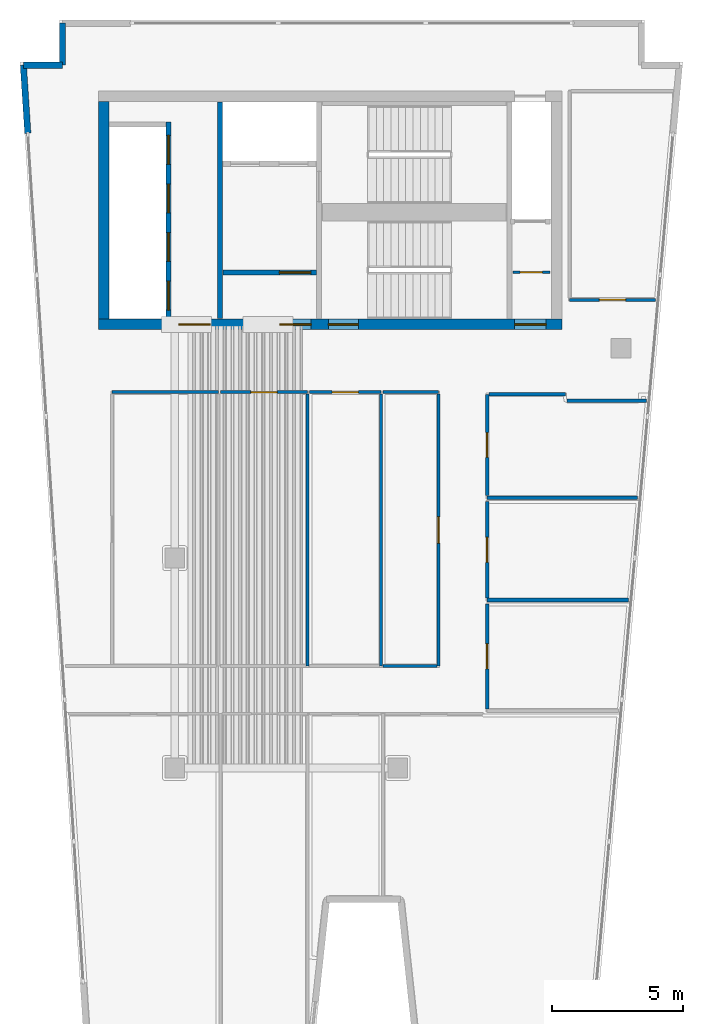
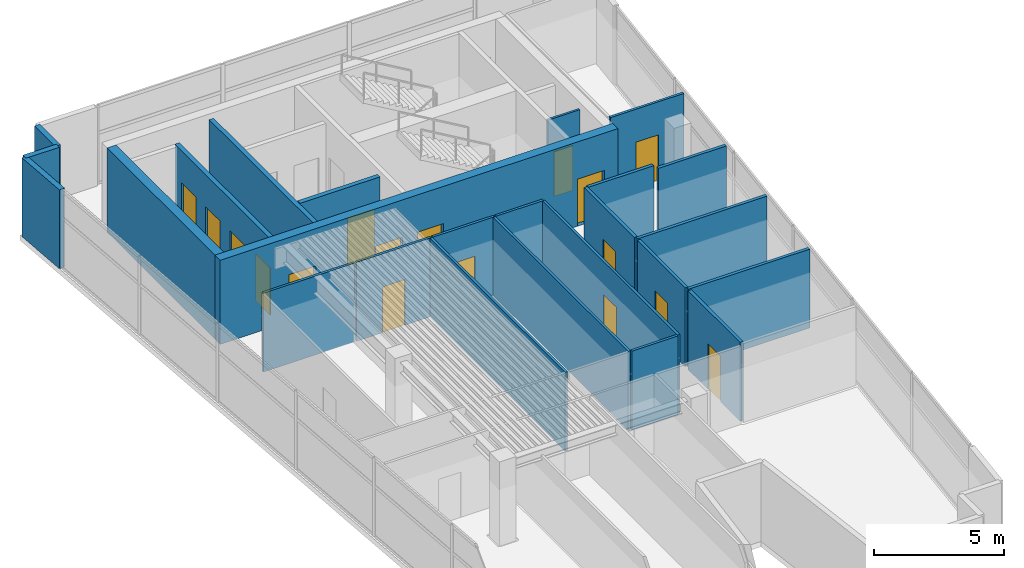
# One storey, part 4 of 7: 25 walls, 17 doors, 17 openings.
"""IFC4 building model written with IfcOpenShell, lengths in metres."""

from ifc_helpers import new_model, si_unit, direction, frame, frame_2d, origin, place, context, subcontext, project, spatial, rectangle, extrude, material, layer, layer_set, type_object, element, fill, save


model = new_model("IFC4")

# Units and contexts
model_context = context("Model", 3, precision=1e-05, world=origin(), true_north=direction((0.0, 1.0)))
body_context = subcontext(model_context, "Body", "Model", "MODEL_VIEW")
ifc_project = project(units=[si_unit("LENGTHUNIT", "METRE"), si_unit("AREAUNIT", "SQUARE_METRE"), si_unit("VOLUMEUNIT", "CUBIC_METRE"), si_unit("PLANEANGLEUNIT", "RADIAN"), si_unit("MASSUNIT", "GRAM", prefix="KILO")], contexts=[model_context])

# Site, building, storey
site_placement = place(None, origin())
site = spatial("IfcSite", under=ifc_project, at=site_placement, CompositionType="ELEMENT")
building_placement = place(site_placement, origin())
building = spatial("IfcBuilding", under=site, at=building_placement, Name="Caeloran Harvest Quay", CompositionType="ELEMENT")
storey_placement = place(building_placement, frame((0.0, 0.0, 308.050048828125)))
storey = spatial("IfcBuildingStorey", under=building, at=storey_placement, Name="L74", CompositionType="ELEMENT", Elevation=308.050048828125)

# Walls
ifc_material_1 = material(Name="Precast concrete C50/60", Category="concrete")
ifc_layer_1 = layer(ifc_material_1, 0.239990234375, Name="Precast concrete C50/60")
ifc_layer_set_1 = layer_set([ifc_layer_1], Name="Precast concrete C50/60")
wall_type_1 = type_object("IfcWallType", Name="ENV-WALL-EW-240", PredefinedType="STANDARD", material=ifc_layer_set_1)
wall_1_placement = place(storey_placement, frame((2.902099609375, 39.185546875, 0.0), z_axis=(0.0, 0.0, 1.0), x_axis=(-0.065166541347, 0.997874401861, 0.0)))
element("IfcWall", 1, at=wall_1_placement, inside=storey, type_object=wall_type_1, Name="L74 Exterior Facade Corner Pier Wall 3B", PredefinedType="STANDARD", context=body_context, shape_type="SweptSolid", body=[
    extrude(rectangle(XDim=2.60009765625, YDim=0.239990234375, at=frame_2d((1.300048828125, 0.0))), origin(), (0.0, 0.0, 1.0), 3.699951171875),
])
wall_2_placement = place(storey_placement, frame((2.732666015625, 41.780029296875, 0.0), z_axis=(0.0, 0.0, 1.0), x_axis=(1.0, 0.0, 0.0)))
element("IfcWall", 2, at=wall_2_placement, inside=storey, type_object=wall_type_1, Name="L74 Exterior Precast Concrete Facade Wall 4", PredefinedType="STANDARD", context=body_context, shape_type="SweptSolid", body=[
    extrude(rectangle(XDim=1.4873046875, YDim=0.239990234375, at=frame_2d((0.74365234375, 0.0))), origin(), (0.0, 0.0, 1.0), 3.699951171875),
])
wall_3_placement = place(storey_placement, frame((4.219970703125, 41.780029296875, 0.0), z_axis=(0.0, 0.0, 1.0), x_axis=(0.0, 1.0, 0.0)))
element("IfcWall", 3, at=wall_3_placement, inside=storey, type_object=wall_type_1, Name="L74 Exterior Precast Concrete Facade Wall 5", PredefinedType="STANDARD", context=body_context, shape_type="SweptSolid", body=[
    extrude(rectangle(XDim=1.599853515625, YDim=0.239990234375, at=frame_2d((0.7998046875, 0.0))), origin(), (0.0, 0.0, 1.0), 3.699951171875),
])

# Wall, opening, door
ifc_material_2 = material(Name="Fire-Resisting Gypsum Core Riser Partition", Category="gypsum")
ifc_layer_2 = layer(ifc_material_2, 0.10009765625, Name="Fire-Resisting Gypsum Core Riser Partition")
ifc_layer_set_2 = layer_set([ifc_layer_2], Name="Fire-Resisting Gypsum Core Riser Partition")
wall_type_2 = type_object("IfcWallType", Name="INT-WALL-PW-100", PredefinedType="PARTITIONING", material=ifc_layer_set_2)
wall_4_placement = place(storey_placement, frame((21.3798828125, 33.889892578125, 0.0), z_axis=(0.0, 0.0, 1.0), x_axis=(1.0, 0.0, 0.0)))
wall_4 = element("IfcWall", 4, at=wall_4_placement, inside=storey, type_object=wall_type_2, Name="L74 Cleaner Store Partition Wall", PredefinedType="PARTITIONING", context=body_context, shape_type="SweptSolid", body=[
    extrude(rectangle(XDim=1.420166015625, YDim=0.10009765625, at=frame_2d((0.7099609375, 0.0))), origin(), (0.0, 0.0, 1.0), 3.699951171875),
])
opening_1_placement = place(wall_4_placement, frame((0.280029296875, 0.0, 0.0)))
opening_1 = element("IfcOpeningElement", 5, at=opening_1_placement, cuts=wall_4, Name="Opening SV-01", PredefinedType="OPENING", context=body_context, shape_type="SweptSolid", body=[
    extrude(rectangle(XDim=0.85009765625, YDim=2.10009765625, at=frame_2d((0.425048828125, 1.050048828125))), frame((0.0, 0.06005859375, 0.0), z_axis=(0.0, -1.0, 0.0), x_axis=(1.0, 0.0, 0.0)), (0.0, 0.0, 1.0), 0.1201171875),
])
ifc_material_3 = material(Name="Galvanized Painted Steel", Category="steel")
door_type_1 = type_object("IfcDoorType", Name="INTDOOR-SV-01", OperationType="NOTDEFINED", PredefinedType="DOOR", material=ifc_material_3)
door_1_placement = place(opening_1_placement, origin())
door_1 = element("IfcDoor", 6, at=door_1_placement, inside=storey, type_object=door_type_1, Name="L74 Cleaner Supply Store Access Door", OperationType="SINGLE_SWING_RIGHT", OverallHeight=2.10009765625, OverallWidth=0.85009765625, PredefinedType="DOOR", context=body_context, shape_type="SweptSolid", body=[
    extrude(rectangle(XDim=0.85009765625, YDim=2.10009765625, at=frame_2d((0.425048828125, 1.050048828125))), frame((0.0, 0.02490234375, 0.0), z_axis=(0.0, -1.0, 0.0), x_axis=(1.0, 0.0, 0.0)), (0.0, 0.0, 1.0), 0.050048828125),
])
fill(opening_1, door_1)

ifc_material_4 = material(Name="Single-Stud Acoustic Gypsum Office Partition", Category="gypsum")
ifc_layer_3 = layer(ifc_material_4, 0.112060546875, Name="Single-Stud Acoustic Gypsum Office Partition")
ifc_layer_set_3 = layer_set([ifc_layer_3], Name="Single-Stud Acoustic Gypsum Office Partition")
wall_type_3 = type_object("IfcWallType", Name="INT-WALL-PW-112", PredefinedType="PARTITIONING", material=ifc_layer_set_3)
wall_5_placement = place(storey_placement, frame((26.812744140625, 32.840087890625, 0.0), z_axis=(0.0, 0.0, 1.0), x_axis=(-1.0, 0.0, 0.0)))
wall_5 = element("IfcWall", 7, at=wall_5_placement, inside=storey, type_object=wall_type_3, Name="L74 Bioinformatics and Crop Phenotyping Laboratory Partition Wall", PredefinedType="PARTITIONING", context=body_context, shape_type="SweptSolid", body=[
    extrude(rectangle(XDim=3.272705078125, YDim=0.112060546875, at=frame_2d((1.63623046875, 0.0))), origin(), (0.0, 0.0, 1.0), 3.699951171875),
])
opening_2_placement = place(wall_5_placement, frame((1.136474609375, 0.0, 0.0)))
opening_2 = element("IfcOpeningElement", 8, at=opening_2_placement, cuts=wall_5, Name="Opening ID-01", PredefinedType="OPENING", context=body_context, shape_type="SweptSolid", body=[
    extrude(rectangle(XDim=1.0, YDim=2.14990234375, at=frame_2d((0.5, 1.074951171875))), frame((0.0, 0.06591796875, 0.0), z_axis=(0.0, -1.0, 0.0), x_axis=(1.0, 0.0, 0.0)), (0.0, 0.0, 1.0), 0.132080078125),
])
ifc_material_5 = material(Name="FSC Solid-Core Ash Timber and Acoustic Seal", Category="wood")
door_type_2 = type_object("IfcDoorType", Name="INTDOOR-ID-01", OperationType="NOTDEFINED", PredefinedType="DOOR", material=ifc_material_5)
door_2_placement = place(opening_2_placement, origin())
door_2 = element("IfcDoor", 9, at=door_2_placement, inside=storey, type_object=door_type_2, Name="L74 Bioinformatics and Crop Phenotyping Laboratory Access Door", OperationType="SINGLE_SWING_RIGHT", OverallHeight=2.14990234375, OverallWidth=1.0, PredefinedType="DOOR", context=body_context, shape_type="SweptSolid", body=[
    extrude(rectangle(XDim=1.0, YDim=2.14990234375, at=frame_2d((0.5, 1.074951171875))), frame((0.0, 0.02490234375, 0.0), z_axis=(0.0, -1.0, 0.0), x_axis=(1.0, 0.0, 0.0)), (0.0, 0.0, 1.0), 0.050048828125),
])
fill(opening_2, door_2)

# Wall
wall_6_placement = place(storey_placement, frame((6.110107421875, 29.320068359375, 0.0), z_axis=(0.0, 0.0, 1.0), x_axis=(1.0, 0.0, 0.0)))
element("IfcWall", 10, at=wall_6_placement, inside=storey, type_object=wall_type_3, Name="Sky-Atrium Observation Lounge Partition Wall", PredefinedType="PARTITIONING", context=body_context, shape_type="SweptSolid", body=[
    extrude(rectangle(XDim=4.0498046875, YDim=0.112060546875, at=frame_2d((2.02490234375, 0.0))), origin(), (0.0, 0.0, 1.0), 3.699951171875),
])

# Wall, opening, door
wall_7_placement = place(storey_placement, frame((10.239990234375, 29.320068359375, 0.0), z_axis=(0.0, 0.0, 1.0), x_axis=(1.0, 0.0, 0.0)))
wall_7 = element("IfcWall", 11, at=wall_7_placement, inside=storey, type_object=wall_type_3, Name="Botanical Tea Kitchen Partition Wall", PredefinedType="PARTITIONING", context=body_context, shape_type="SweptSolid", body=[
    extrude(rectangle(XDim=3.320068359375, YDim=0.112060546875, at=frame_2d((1.66015625, 0.0))), origin(), (0.0, 0.0, 1.0), 3.699951171875),
])
opening_3_placement = place(wall_7_placement, frame((1.159912109375, 0.0, 0.0)))
opening_3 = element("IfcOpeningElement", 12, at=opening_3_placement, cuts=wall_7, Name="Opening ID-01", PredefinedType="OPENING", context=body_context, shape_type="SweptSolid", body=[
    extrude(rectangle(XDim=1.0, YDim=2.14990234375, at=frame_2d((0.5, 1.074951171875))), frame((0.0, 0.06591796875, 0.0), z_axis=(0.0, -1.0, 0.0), x_axis=(1.0, 0.0, 0.0)), (0.0, 0.0, 1.0), 0.132080078125),
])
door_3_placement = place(opening_3_placement, origin())
door_3 = element("IfcDoor", 13, at=door_3_placement, inside=storey, type_object=door_type_2, Name="Botanical Tea Kitchen Access Door", OperationType="SINGLE_SWING_LEFT", OverallHeight=2.14990234375, OverallWidth=1.0, PredefinedType="DOOR", context=body_context, shape_type="SweptSolid", body=[
    extrude(rectangle(XDim=1.0, YDim=2.14990234375, at=frame_2d((0.5, 1.074951171875))), frame((0.0, 0.02490234375, 0.0), z_axis=(0.0, -1.0, 0.0), x_axis=(1.0, 0.0, 0.0)), (0.0, 0.0, 1.0), 0.050048828125),
])
fill(opening_3, door_3)

# Wall
wall_8_placement = place(storey_placement, frame((13.56005859375, 29.259033203125, 0.0), z_axis=(0.0, 0.0, 1.0), x_axis=(0.0, -1.0, 0.0)))
element("IfcWall", 14, at=wall_8_placement, inside=storey, type_object=wall_type_3, Name="Botanical Tea Kitchen Partition Wall", PredefinedType="PARTITIONING", context=body_context, shape_type="SweptSolid", body=[
    extrude(rectangle(XDim=10.379150390625, YDim=0.112060546875, at=frame_2d((5.189453125, 0.0))), origin(), (0.0, 0.0, 1.0), 3.699951171875),
])

# Wall, opening, door
wall_9_placement = place(storey_placement, frame((13.639892578125, 29.320068359375, 0.0), z_axis=(0.0, 0.0, 1.0), x_axis=(1.0, 0.0, 0.0)))
wall_9 = element("IfcWall", 15, at=wall_9_placement, inside=storey, type_object=wall_type_3, Name="West Harbour Tasting Kitchen 7 Partition Wall", PredefinedType="PARTITIONING", context=body_context, shape_type="SweptSolid", body=[
    extrude(rectangle(XDim=2.72021484375, YDim=0.112060546875, at=frame_2d((1.360107421875, 0.0))), origin(), (0.0, 0.0, 1.0), 3.699951171875),
])
opening_4_placement = place(wall_9_placement, frame((0.860107421875, 0.0, 0.0)))
opening_4 = element("IfcOpeningElement", 16, at=opening_4_placement, cuts=wall_9, Name="Opening ID-01", PredefinedType="OPENING", context=body_context, shape_type="SweptSolid", body=[
    extrude(rectangle(XDim=1.0, YDim=2.14990234375, at=frame_2d((0.5, 1.074951171875))), frame((0.0, 0.06591796875, 0.0), z_axis=(0.0, -1.0, 0.0), x_axis=(1.0, 0.0, 0.0)), (0.0, 0.0, 1.0), 0.132080078125),
])
door_4_placement = place(opening_4_placement, origin())
door_4 = element("IfcDoor", 17, at=door_4_placement, inside=storey, type_object=door_type_2, Name="West Harbour Tasting Kitchen 7 Access Door", OperationType="SINGLE_SWING_RIGHT", OverallHeight=2.14990234375, OverallWidth=1.0, PredefinedType="DOOR", context=body_context, shape_type="SweptSolid", body=[
    extrude(rectangle(XDim=1.0, YDim=2.14990234375, at=frame_2d((0.5, 1.074951171875))), frame((0.0, 0.02490234375, 0.0), z_axis=(0.0, -1.0, 0.0), x_axis=(1.0, 0.0, 0.0)), (0.0, 0.0, 1.0), 0.050048828125),
])
fill(opening_4, door_4)

# Walls
wall_10_placement = place(storey_placement, frame((16.360107421875, 29.259033203125, 0.0), z_axis=(0.0, 0.0, 1.0), x_axis=(0.0, -1.0, 0.0)))
element("IfcWall", 18, at=wall_10_placement, inside=storey, type_object=wall_type_3, Name="West Harbour Tasting Kitchen 7 Partition Wall", PredefinedType="PARTITIONING", context=body_context, shape_type="SweptSolid", body=[
    extrude(rectangle(XDim=10.379150390625, YDim=0.112060546875, at=frame_2d((5.189453125, 0.0))), origin(), (0.0, 0.0, 1.0), 3.699951171875),
])
wall_11_placement = place(storey_placement, frame((16.43994140625, 29.320068359375, 0.0), z_axis=(0.0, 0.0, 1.0), x_axis=(1.0, 0.0, 0.0)))
element("IfcWall", 19, at=wall_11_placement, inside=storey, type_object=wall_type_3, Name="Executive Dining Kitchen 8 Partition Wall", PredefinedType="PARTITIONING", context=body_context, shape_type="SweptSolid", body=[
    extrude(rectangle(XDim=2.110107421875, YDim=0.112060546875, at=frame_2d((1.05517578125, 0.0))), origin(), (0.0, 0.0, 1.0), 3.699951171875),
])

# Wall, opening, door
wall_12_placement = place(storey_placement, frame((18.550048828125, 29.259033203125, 0.0), z_axis=(0.0, 0.0, 1.0), x_axis=(0.0, -1.0, 0.0)))
wall_12 = element("IfcWall", 20, at=wall_12_placement, inside=storey, type_object=wall_type_3, Name="Executive Dining Kitchen 8 Partition Wall", PredefinedType="PARTITIONING", context=body_context, shape_type="SweptSolid", body=[
    extrude(rectangle(XDim=10.379150390625, YDim=0.112060546875, at=frame_2d((5.189453125, 0.0))), origin(), (0.0, 0.0, 1.0), 3.699951171875),
])
opening_5_placement = place(wall_12_placement, frame((4.689453125, 0.0, 0.0)))
opening_5 = element("IfcOpeningElement", 21, at=opening_5_placement, cuts=wall_12, Name="Opening ID-01", PredefinedType="OPENING", context=body_context, shape_type="SweptSolid", body=[
    extrude(rectangle(XDim=1.0, YDim=2.14990234375, at=frame_2d((0.5, 1.074951171875))), frame((0.0, 0.06591796875, 0.0), z_axis=(0.0, -1.0, 0.0), x_axis=(1.0, 0.0, 0.0)), (0.0, 0.0, 1.0), 0.132080078125),
])
door_5_placement = place(opening_5_placement, origin())
door_5 = element("IfcDoor", 22, at=door_5_placement, inside=storey, type_object=door_type_2, Name="Executive Dining Kitchen 8 Access Door", OperationType="SINGLE_SWING_LEFT", OverallHeight=2.14990234375, OverallWidth=1.0, PredefinedType="DOOR", context=body_context, shape_type="SweptSolid", body=[
    extrude(rectangle(XDim=1.0, YDim=2.14990234375, at=frame_2d((0.5, 1.074951171875))), frame((0.0, 0.02490234375, 0.0), z_axis=(0.0, -1.0, 0.0), x_axis=(1.0, 0.0, 0.0)), (0.0, 0.0, 1.0), 0.050048828125),
])
fill(opening_5, door_5)

# Walls
wall_13_placement = place(storey_placement, frame((18.489013671875, 18.8798828125, 0.0), z_axis=(0.0, 0.0, 1.0), x_axis=(-1.0, 0.0, 0.0)))
element("IfcWall", 23, at=wall_13_placement, inside=storey, type_object=wall_type_3, Name="Executive Dining Kitchen 8 Partition Wall", PredefinedType="PARTITIONING", context=body_context, shape_type="SweptSolid", body=[
    extrude(rectangle(XDim=2.049072265625, YDim=0.112060546875, at=frame_2d((1.0244140625, 0.0))), origin(), (0.0, 0.0, 1.0), 3.699951171875),
])
ifc_material_6 = material(Name="Moisture-Resistant Cement-Board Sanitary Partition", Category="gypsum")
ifc_layer_4 = layer(ifc_material_6, 0.139892578125, Name="Moisture-Resistant Cement-Board Sanitary Partition")
ifc_layer_set_4 = layer_set([ifc_layer_4], Name="Moisture-Resistant Cement-Board Sanitary Partition")
wall_type_4 = type_object("IfcWallType", Name="INT-WALL-PW-140", PredefinedType="PARTITIONING", material=ifc_layer_set_4)
wall_14_placement = place(storey_placement, frame((23.449951171875, 28.989990234375, 0.0), z_axis=(0.0, 0.0, 1.0), x_axis=(1.0, 0.0, 0.0)))
element("IfcWall", 24, at=wall_14_placement, inside=storey, type_object=wall_type_4, Name="L74 Male Washroom WC Partition Wall", PredefinedType="PARTITIONING", context=body_context, shape_type="SweptSolid", body=[
    extrude(rectangle(XDim=3.015625, YDim=0.139892578125, at=frame_2d((1.5078125, 0.0))), origin(), (0.0, 0.0, 1.0), 3.699951171875),
])
wall_15_placement = place(storey_placement, frame((26.1328125, 25.300048828125, 0.0), z_axis=(0.0, 0.0, 1.0), x_axis=(-1.0, 0.0, 0.0)))
element("IfcWall", 25, at=wall_15_placement, inside=storey, type_object=wall_type_4, Name="L74 Male Washroom WC Partition Wall", PredefinedType="PARTITIONING", context=body_context, shape_type="SweptSolid", body=[
    extrude(rectangle(XDim=5.73291015625, YDim=0.139892578125, at=frame_2d((2.866455078125, 0.0))), origin(), (0.0, 0.0, 1.0), 3.699951171875),
])

# Wall, opening, door
wall_16_placement = place(storey_placement, frame((20.39990234375, 25.375, 0.0), z_axis=(0.0, 0.0, 1.0), x_axis=(0.0, 1.0, 0.0)))
wall_16 = element("IfcWall", 26, at=wall_16_placement, inside=storey, type_object=wall_type_4, Name="L74 Male Washroom WC Partition Wall", PredefinedType="PARTITIONING", context=body_context, shape_type="SweptSolid", body=[
    extrude(rectangle(XDim=3.864990234375, YDim=0.139892578125, at=frame_2d((1.9326171875, 0.0))), origin(), (0.0, 0.0, 1.0), 3.699951171875),
])
opening_6_placement = place(wall_16_placement, frame((1.45751953125, 0.0, 0.0)))
opening_6 = element("IfcOpeningElement", 27, at=opening_6_placement, cuts=wall_16, Name="Opening WC-01", PredefinedType="OPENING", context=body_context, shape_type="SweptSolid", body=[
    extrude(rectangle(XDim=0.949951171875, YDim=2.14990234375, at=frame_2d((0.47509765625, 1.074951171875))), frame((0.0, 0.080078125, 0.0), z_axis=(0.0, -1.0, 0.0), x_axis=(1.0, 0.0, 0.0)), (0.0, 0.0, 1.0), 0.159912109375),
])
ifc_material_7 = material(Name="High-Pressure Laminate Moisture-Resistant Timber", Category="wood")
door_type_3 = type_object("IfcDoorType", Name="INTDOOR-WC-01", OperationType="NOTDEFINED", PredefinedType="DOOR", material=ifc_material_7)
door_6_placement = place(opening_6_placement, origin())
door_6 = element("IfcDoor", 28, at=door_6_placement, inside=storey, type_object=door_type_3, Name="L74 Male Washroom WC Access Door", OperationType="SINGLE_SWING_LEFT", OverallHeight=2.14990234375, OverallWidth=0.949951171875, PredefinedType="DOOR", context=body_context, shape_type="SweptSolid", body=[
    extrude(rectangle(XDim=0.949951171875, YDim=2.14990234375, at=frame_2d((0.47509765625, 1.074951171875))), frame((0.0, 0.02490234375, 0.0), z_axis=(0.0, -1.0, 0.0), x_axis=(1.0, 0.0, 0.0)), (0.0, 0.0, 1.0), 0.050048828125),
])
fill(opening_6, door_6)

# Walls
wall_17_placement = place(storey_placement, frame((20.47509765625, 29.239990234375, 0.0), z_axis=(0.0, 0.0, 1.0), x_axis=(1.0, 0.0, 0.0)))
element("IfcWall", 29, at=wall_17_placement, inside=storey, type_object=wall_type_4, Name="L74 Male Washroom WC Partition Wall", PredefinedType="PARTITIONING", context=body_context, shape_type="SweptSolid", body=[
    extrude(rectangle(XDim=2.914794921875, YDim=0.139892578125, at=frame_2d((1.45751953125, 0.0))), origin(), (0.0, 0.0, 1.0), 3.699951171875),
])
wall_18_placement = place(storey_placement, frame((25.781005859375, 21.39990234375, 0.0), z_axis=(0.0, 0.0, 1.0), x_axis=(-1.0, 0.0, 0.0)))
element("IfcWall", 30, at=wall_18_placement, inside=storey, type_object=wall_type_4, Name="L74 Female Washroom WC Partition Wall", PredefinedType="PARTITIONING", context=body_context, shape_type="SweptSolid", body=[
    extrude(rectangle(XDim=5.381103515625, YDim=0.139892578125, at=frame_2d((2.6904296875, 0.0))), origin(), (0.0, 0.0, 1.0), 3.699951171875),
])

# Wall, opening, door
wall_19_placement = place(storey_placement, frame((20.39990234375, 21.47509765625, 0.0), z_axis=(0.0, 0.0, 1.0), x_axis=(0.0, 1.0, 0.0)))
wall_19 = element("IfcWall", 31, at=wall_19_placement, inside=storey, type_object=wall_type_4, Name="L74 Female Washroom WC Partition Wall", PredefinedType="PARTITIONING", context=body_context, shape_type="SweptSolid", body=[
    extrude(rectangle(XDim=3.6748046875, YDim=0.139892578125, at=frame_2d((1.83740234375, 0.0))), origin(), (0.0, 0.0, 1.0), 3.699951171875),
])
opening_7_placement = place(wall_19_placement, frame((1.362548828125, 0.0, 0.0)))
opening_7 = element("IfcOpeningElement", 32, at=opening_7_placement, cuts=wall_19, Name="Opening WC-01", PredefinedType="OPENING", context=body_context, shape_type="SweptSolid", body=[
    extrude(rectangle(XDim=0.949951171875, YDim=2.14990234375, at=frame_2d((0.47509765625, 1.074951171875))), frame((0.0, 0.080078125, 0.0), z_axis=(0.0, -1.0, 0.0), x_axis=(1.0, 0.0, 0.0)), (0.0, 0.0, 1.0), 0.159912109375),
])
door_7_placement = place(opening_7_placement, origin())
door_7 = element("IfcDoor", 33, at=door_7_placement, inside=storey, type_object=door_type_3, Name="L74 Female Washroom WC Access Door", OperationType="SINGLE_SWING_RIGHT", OverallHeight=2.14990234375, OverallWidth=0.949951171875, PredefinedType="DOOR", context=body_context, shape_type="SweptSolid", body=[
    extrude(rectangle(XDim=0.949951171875, YDim=2.14990234375, at=frame_2d((0.47509765625, 1.074951171875))), frame((0.0, 0.02490234375, 0.0), z_axis=(0.0, -1.0, 0.0), x_axis=(1.0, 0.0, 0.0)), (0.0, 0.0, 1.0), 0.050048828125),
])
fill(opening_7, door_7)

wall_20_placement = place(storey_placement, frame((20.39990234375, 17.2548828125, 0.0), z_axis=(0.0, 0.0, 1.0), x_axis=(0.0, 1.0, 0.0)))
wall_20 = element("IfcWall", 34, at=wall_20_placement, inside=storey, type_object=wall_type_4, Name="L74 Accessible Unisex Washroom WC Partition Wall", PredefinedType="PARTITIONING", context=body_context, shape_type="SweptSolid", body=[
    extrude(rectangle(XDim=3.9951171875, YDim=0.139892578125, at=frame_2d((1.99755859375, 0.0))), origin(), (0.0, 0.0, 1.0), 3.699951171875),
])
opening_8_placement = place(wall_20_placement, frame((1.5224609375, 0.0, 0.0)))
opening_8 = element("IfcOpeningElement", 35, at=opening_8_placement, cuts=wall_20, Name="Opening WC-01", PredefinedType="OPENING", context=body_context, shape_type="SweptSolid", body=[
    extrude(rectangle(XDim=0.949951171875, YDim=2.14990234375, at=frame_2d((0.47509765625, 1.074951171875))), frame((0.0, 0.080078125, 0.0), z_axis=(0.0, -1.0, 0.0), x_axis=(1.0, 0.0, 0.0)), (0.0, 0.0, 1.0), 0.159912109375),
])
door_8_placement = place(opening_8_placement, origin())
door_8 = element("IfcDoor", 36, at=door_8_placement, inside=storey, type_object=door_type_3, Name="L74 Accessible Unisex Washroom WC Access Door", OperationType="SINGLE_SWING_LEFT", OverallHeight=2.14990234375, OverallWidth=0.949951171875, PredefinedType="DOOR", context=body_context, shape_type="SweptSolid", body=[
    extrude(rectangle(XDim=0.949951171875, YDim=2.14990234375, at=frame_2d((0.47509765625, 1.074951171875))), frame((0.0, 0.02490234375, 0.0), z_axis=(0.0, -1.0, 0.0), x_axis=(1.0, 0.0, 0.0)), (0.0, 0.0, 1.0), 0.050048828125),
])
fill(opening_8, door_8)

# Wall, openings, doors
ifc_material_8 = material(Name="Concrete C50/60", Category="concrete")
ifc_layer_5 = layer(ifc_material_8, 0.199951171875, Name="Concrete C50/60")
ifc_layer_set_5 = layer_set([ifc_layer_5], Name="Concrete C50/60")
wall_type_5 = type_object("IfcWallType", Name="INT-WALL-SW-200", PredefinedType="PARTITIONING", material=ifc_layer_set_5)
wall_21_placement = place(storey_placement, frame((8.260009765625, 32.1201171875, 0.0), z_axis=(0.0, 0.0, 1.0), x_axis=(0.0, 1.0, 0.0)))
wall_21 = element("IfcWall", 37, at=wall_21_placement, inside=storey, type_object=wall_type_5, Name="L74 Bank 3 Lift Shaft Wall", PredefinedType="PARTITIONING", context=body_context, shape_type="SweptSolid", body=[
    extrude(rectangle(XDim=7.5, YDim=0.199951171875, at=frame_2d((3.75, 0.0))), origin(), (0.0, 0.0, 1.0), 3.699951171875),
])
opening_9_placement = place(wall_21_placement, frame((0.330078125, 0.0, 0.0)))
opening_9 = element("IfcOpeningElement", 38, at=opening_9_placement, cuts=wall_21, Name="Opening LD-01", PredefinedType="OPENING", context=body_context, shape_type="SweptSolid", body=[
    extrude(rectangle(XDim=1.10009765625, YDim=2.199951171875, at=frame_2d((0.550048828125, 1.10009765625))), frame((0.0, 0.10986328125, 0.0), z_axis=(0.0, -1.0, 0.0), x_axis=(1.0, 0.0, 0.0)), (0.0, 0.0, 1.0), 0.219970703125),
])
opening_10_placement = place(wall_21_placement, frame((2.179931640625, 0.0, 0.0)))
opening_10 = element("IfcOpeningElement", 39, at=opening_10_placement, cuts=wall_21, Name="Opening LD-01", PredefinedType="OPENING", context=body_context, shape_type="SweptSolid", body=[
    extrude(rectangle(XDim=1.10009765625, YDim=2.199951171875, at=frame_2d((0.550048828125, 1.10009765625))), frame((0.0, 0.10986328125, 0.0), z_axis=(0.0, -1.0, 0.0), x_axis=(1.0, 0.0, 0.0)), (0.0, 0.0, 1.0), 0.219970703125),
])
opening_11_placement = place(wall_21_placement, frame((4.030029296875, 0.0, 0.0)))
opening_11 = element("IfcOpeningElement", 40, at=opening_11_placement, cuts=wall_21, Name="Opening LD-01", PredefinedType="OPENING", context=body_context, shape_type="SweptSolid", body=[
    extrude(rectangle(XDim=1.10009765625, YDim=2.199951171875, at=frame_2d((0.550048828125, 1.10009765625))), frame((0.0, 0.10986328125, 0.0), z_axis=(0.0, -1.0, 0.0), x_axis=(1.0, 0.0, 0.0)), (0.0, 0.0, 1.0), 0.219970703125),
])
opening_12_placement = place(wall_21_placement, frame((5.8798828125, 0.0, 0.0)))
opening_12 = element("IfcOpeningElement", 41, at=opening_12_placement, cuts=wall_21, Name="Opening LD-01", PredefinedType="OPENING", context=body_context, shape_type="SweptSolid", body=[
    extrude(rectangle(XDim=1.10009765625, YDim=2.199951171875, at=frame_2d((0.550048828125, 1.10009765625))), frame((0.0, 0.10986328125, 0.0), z_axis=(0.0, -1.0, 0.0), x_axis=(1.0, 0.0, 0.0)), (0.0, 0.0, 1.0), 0.219970703125),
])
ifc_material_9 = material(Name="Stainless Steel Grade 316", Category="steel")
door_type_4 = type_object("IfcDoorType", Name="INTDOOR-LD-01", OperationType="NOTDEFINED", PredefinedType="DOOR", material=ifc_material_9)
door_9_placement = place(opening_9_placement, origin())
door_9 = element("IfcDoor", 42, at=door_9_placement, inside=storey, type_object=door_type_4, Name="Lift P3-1 Sliding Landing Door (L74)", OperationType="DOUBLE_DOOR_SLIDING", OverallHeight=2.199951171875, OverallWidth=1.10009765625, PredefinedType="DOOR", context=body_context, shape_type="SweptSolid", body=[
    extrude(rectangle(XDim=1.10009765625, YDim=2.199951171875, at=frame_2d((0.550048828125, 1.10009765625))), frame((0.0, 0.02490234375, 0.0), z_axis=(0.0, -1.0, 0.0), x_axis=(1.0, 0.0, 0.0)), (0.0, 0.0, 1.0), 0.050048828125),
])
fill(opening_9, door_9)
door_10_placement = place(opening_10_placement, origin())
door_10 = element("IfcDoor", 43, at=door_10_placement, inside=storey, type_object=door_type_4, Name="Lift P3-2 Sliding Landing Door (L74)", OperationType="DOUBLE_DOOR_SLIDING", OverallHeight=2.199951171875, OverallWidth=1.10009765625, PredefinedType="DOOR", context=body_context, shape_type="SweptSolid", body=[
    extrude(rectangle(XDim=1.10009765625, YDim=2.199951171875, at=frame_2d((0.550048828125, 1.10009765625))), frame((0.0, 0.02490234375, 0.0), z_axis=(0.0, -1.0, 0.0), x_axis=(1.0, 0.0, 0.0)), (0.0, 0.0, 1.0), 0.050048828125),
])
fill(opening_10, door_10)
door_11_placement = place(opening_11_placement, origin())
door_11 = element("IfcDoor", 44, at=door_11_placement, inside=storey, type_object=door_type_4, Name="Lift P3-3 Sliding Landing Door (L74)", OperationType="DOUBLE_DOOR_SLIDING", OverallHeight=2.199951171875, OverallWidth=1.10009765625, PredefinedType="DOOR", context=body_context, shape_type="SweptSolid", body=[
    extrude(rectangle(XDim=1.10009765625, YDim=2.199951171875, at=frame_2d((0.550048828125, 1.10009765625))), frame((0.0, 0.02490234375, 0.0), z_axis=(0.0, -1.0, 0.0), x_axis=(1.0, 0.0, 0.0)), (0.0, 0.0, 1.0), 0.050048828125),
])
fill(opening_11, door_11)
door_12_placement = place(opening_12_placement, origin())
door_12 = element("IfcDoor", 45, at=door_12_placement, inside=storey, type_object=door_type_4, Name="Lift P3-4 Sliding Landing Door (L74)", OperationType="DOUBLE_DOOR_SLIDING", OverallHeight=2.199951171875, OverallWidth=1.10009765625, PredefinedType="DOOR", context=body_context, shape_type="SweptSolid", body=[
    extrude(rectangle(XDim=1.10009765625, YDim=2.199951171875, at=frame_2d((0.550048828125, 1.10009765625))), frame((0.0, 0.02490234375, 0.0), z_axis=(0.0, -1.0, 0.0), x_axis=(1.0, 0.0, 0.0)), (0.0, 0.0, 1.0), 0.050048828125),
])
fill(opening_12, door_12)

# Wall
wall_22_placement = place(storey_placement, frame((10.219970703125, 32.1201171875, 0.0), z_axis=(0.0, 0.0, 1.0), x_axis=(0.0, 1.0, 0.0)))
element("IfcWall", 46, at=wall_22_placement, inside=storey, type_object=wall_type_5, Name="L74 Core Lobby Compartment Wall", PredefinedType="PARTITIONING", context=body_context, shape_type="SweptSolid", body=[
    extrude(rectangle(XDim=8.259765625, YDim=0.199951171875, at=frame_2d((4.1298828125, 0.0))), origin(), (0.0, 0.0, 1.0), 3.699951171875),
])

# Wall, opening, door
wall_23_placement = place(storey_placement, frame((10.340087890625, 33.8798828125, 0.0), z_axis=(0.0, 0.0, 1.0), x_axis=(1.0, 0.0, 0.0)))
wall_23 = element("IfcWall", 47, at=wall_23_placement, inside=storey, type_object=wall_type_5, Name="L74 Firefighting Lift Lobby Enclosure Wall", PredefinedType="PARTITIONING", context=body_context, shape_type="SweptSolid", body=[
    extrude(rectangle(XDim=3.559814453125, YDim=0.199951171875, at=frame_2d((1.77978515625, 0.0))), origin(), (0.0, 0.0, 1.0), 3.699951171875),
])
opening_13_placement = place(wall_23_placement, frame((2.14990234375, 0.0, 0.0)))
opening_13 = element("IfcOpeningElement", 48, at=opening_13_placement, cuts=wall_23, Name="Opening FD-01", PredefinedType="OPENING", context=body_context, shape_type="SweptSolid", body=[
    extrude(rectangle(XDim=1.199951171875, YDim=2.199951171875, at=frame_2d((0.60009765625, 1.10009765625))), frame((0.0, 0.10986328125, 0.0), z_axis=(0.0, -1.0, 0.0), x_axis=(1.0, 0.0, 0.0)), (0.0, 0.0, 1.0), 0.219970703125),
])
ifc_material_10 = material(Name="Steel", Category="steel")
door_type_5 = type_object("IfcDoorType", Name="INTDOOR-FD-01", OperationType="NOTDEFINED", PredefinedType="DOOR", material=ifc_material_10)
door_13_placement = place(opening_13_placement, origin())
door_13 = element("IfcDoor", 49, at=door_13_placement, inside=storey, type_object=door_type_5, Name="L74 Firefighting Lift Lobby Smoke-Seal Fire Door", OperationType="SINGLE_SWING_LEFT", OverallHeight=2.199951171875, OverallWidth=1.199951171875, PredefinedType="DOOR", context=body_context, shape_type="SweptSolid", body=[
    extrude(rectangle(XDim=1.199951171875, YDim=2.199951171875, at=frame_2d((0.60009765625, 1.10009765625))), frame((0.0, 0.02490234375, 0.0), z_axis=(0.0, -1.0, 0.0), x_axis=(1.0, 0.0, 0.0)), (0.0, 0.0, 1.0), 0.050048828125),
])
fill(opening_13, door_13)

# Wall, openings, doors
ifc_material_11 = material(Name="Concrete C60/75", Category="concrete")
ifc_layer_6 = layer(ifc_material_11, 0.39990234375, Name="Concrete C60/75")
ifc_layer_set_6 = layer_set([ifc_layer_6], Name="Concrete C60/75")
wall_type_6 = type_object("IfcWallType", Name="STR-WALL-CW-400", PredefinedType="SHEAR", material=ifc_layer_set_6)
wall_24_placement = place(storey_placement, frame((5.60009765625, 31.89990234375, 0.0), z_axis=(0.0, 0.0, 1.0), x_axis=(1.0, 0.0, 0.0)))
wall_24 = element("IfcWall", 50, at=wall_24_placement, inside=storey, type_object=wall_type_6, Name="L74 Rear Core Shear Wall S", PredefinedType="SHEAR", context=body_context, shape_type="SweptSolid", body=[
    extrude(rectangle(XDim=17.64990234375, YDim=0.39990234375, at=frame_2d((8.824951171875, 0.0))), origin(), (0.0, 0.0, 1.0), 3.949951171875),
])
opening_14_placement = place(wall_24_placement, frame((3.050048828125, 0.0, 0.0)))
opening_14 = element("IfcOpeningElement", 51, at=opening_14_placement, cuts=wall_24, Name="Opening FD-01", PredefinedType="OPENING", context=body_context, shape_type="SweptSolid", body=[
    extrude(rectangle(XDim=1.199951171875, YDim=2.199951171875, at=frame_2d((0.60009765625, 1.10009765625))), frame((0.0, 0.2099609375, 0.0), z_axis=(0.0, -1.0, 0.0), x_axis=(1.0, 0.0, 0.0)), (0.0, 0.0, 1.0), 0.419921875),
])
opening_15_placement = place(wall_24_placement, frame((6.89990234375, 0.0, 0.0)))
opening_15 = element("IfcOpeningElement", 52, at=opening_15_placement, cuts=wall_24, Name="Opening FD-01", PredefinedType="OPENING", context=body_context, shape_type="SweptSolid", body=[
    extrude(rectangle(XDim=1.199951171875, YDim=2.199951171875, at=frame_2d((0.60009765625, 1.10009765625))), frame((0.0, 0.2099609375, 0.0), z_axis=(0.0, -1.0, 0.0), x_axis=(1.0, 0.0, 0.0)), (0.0, 0.0, 1.0), 0.419921875),
])
opening_16_placement = place(wall_24_placement, frame((8.75, 0.0, 0.0)))
opening_16 = element("IfcOpeningElement", 53, at=opening_16_placement, cuts=wall_24, Name="Opening SD-01", PredefinedType="OPENING", context=body_context, shape_type="SweptSolid", body=[
    extrude(rectangle(XDim=1.14990234375, YDim=2.199951171875, at=frame_2d((0.574951171875, 1.10009765625))), frame((0.0, 0.2099609375, 0.0), z_axis=(0.0, -1.0, 0.0), x_axis=(1.0, 0.0, 0.0)), (0.0, 0.0, 1.0), 0.419921875),
])
opening_17_placement = place(wall_24_placement, frame((15.85009765625, 0.0, 0.0)))
opening_17 = element("IfcOpeningElement", 54, at=opening_17_placement, cuts=wall_24, Name="Opening FD-01", PredefinedType="OPENING", context=body_context, shape_type="SweptSolid", body=[
    extrude(rectangle(XDim=1.199951171875, YDim=2.199951171875, at=frame_2d((0.60009765625, 1.10009765625))), frame((0.0, 0.2099609375, 0.0), z_axis=(0.0, -1.0, 0.0), x_axis=(1.0, 0.0, 0.0)), (0.0, 0.0, 1.0), 0.419921875),
])
door_14_placement = place(opening_14_placement, origin())
door_14 = element("IfcDoor", 55, at=door_14_placement, inside=storey, type_object=door_type_5, Name="L74 High-Rise Lift Lobby Fire Door", OperationType="SINGLE_SWING_LEFT", OverallHeight=2.199951171875, OverallWidth=1.199951171875, PredefinedType="DOOR", context=body_context, shape_type="SweptSolid", body=[
    extrude(rectangle(XDim=1.199951171875, YDim=2.199951171875, at=frame_2d((0.60009765625, 1.10009765625))), frame((0.0, 0.02490234375, 0.0), z_axis=(0.0, -1.0, 0.0), x_axis=(1.0, 0.0, 0.0)), (0.0, 0.0, 1.0), 0.050048828125),
])
fill(opening_14, door_14)
door_15_placement = place(opening_15_placement, origin())
door_15 = element("IfcDoor", 56, at=door_15_placement, inside=storey, type_object=door_type_5, Name="L74 Firefighting Lobby Vestibule Fire Door", OperationType="SINGLE_SWING_RIGHT", OverallHeight=2.199951171875, OverallWidth=1.199951171875, PredefinedType="DOOR", context=body_context, shape_type="SweptSolid", body=[
    extrude(rectangle(XDim=1.199951171875, YDim=2.199951171875, at=frame_2d((0.60009765625, 1.10009765625))), frame((0.0, 0.02490234375, 0.0), z_axis=(0.0, -1.0, 0.0), x_axis=(1.0, 0.0, 0.0)), (0.0, 0.0, 1.0), 0.050048828125),
])
fill(opening_15, door_15)
door_16_placement = place(opening_17_placement, origin())
door_16 = element("IfcDoor", 57, at=door_16_placement, inside=storey, type_object=door_type_5, Name="L74 Service Lift Lobby Fire Door", OperationType="SINGLE_SWING_RIGHT", OverallHeight=2.199951171875, OverallWidth=1.199951171875, PredefinedType="DOOR", context=body_context, shape_type="SweptSolid", body=[
    extrude(rectangle(XDim=1.199951171875, YDim=2.199951171875, at=frame_2d((0.60009765625, 1.10009765625))), frame((0.0, 0.02490234375, 0.0), z_axis=(0.0, -1.0, 0.0), x_axis=(1.0, 0.0, 0.0)), (0.0, 0.0, 1.0), 0.050048828125),
])
fill(opening_17, door_16)
door_type_6 = type_object("IfcDoorType", Name="INTDOOR-SD-01", OperationType="NOTDEFINED", PredefinedType="DOOR", material=ifc_material_10)
door_17_placement = place(opening_16_placement, origin())
door_17 = element("IfcDoor", 58, at=door_17_placement, inside=storey, type_object=door_type_6, Name="L74 Protected Stair ST-C2 Exit Door", OperationType="SINGLE_SWING_LEFT", OverallHeight=2.199951171875, OverallWidth=1.14990234375, PredefinedType="DOOR", context=body_context, shape_type="SweptSolid", body=[
    extrude(rectangle(XDim=1.14990234375, YDim=2.199951171875, at=frame_2d((0.574951171875, 1.10009765625))), frame((0.0, 0.02490234375, 0.0), z_axis=(0.0, -1.0, 0.0), x_axis=(1.0, 0.0, 0.0)), (0.0, 0.0, 1.0), 0.050048828125),
])
fill(opening_16, door_17)

# Wall
wall_25_placement = place(storey_placement, frame((5.800048828125, 32.10009765625, 0.0), z_axis=(0.0, 0.0, 1.0), x_axis=(0.0, 1.0, 0.0)))
element("IfcWall", 59, at=wall_25_placement, inside=storey, type_object=wall_type_6, Name="L74 Rear Core Shear Wall W", PredefinedType="SHEAR", context=body_context, shape_type="SweptSolid", body=[
    extrude(rectangle(XDim=8.2998046875, YDim=0.39990234375, at=frame_2d((4.14990234375, 0.0))), origin(), (0.0, 0.0, 1.0), 3.949951171875),
])

save(model, "model.ifc")
